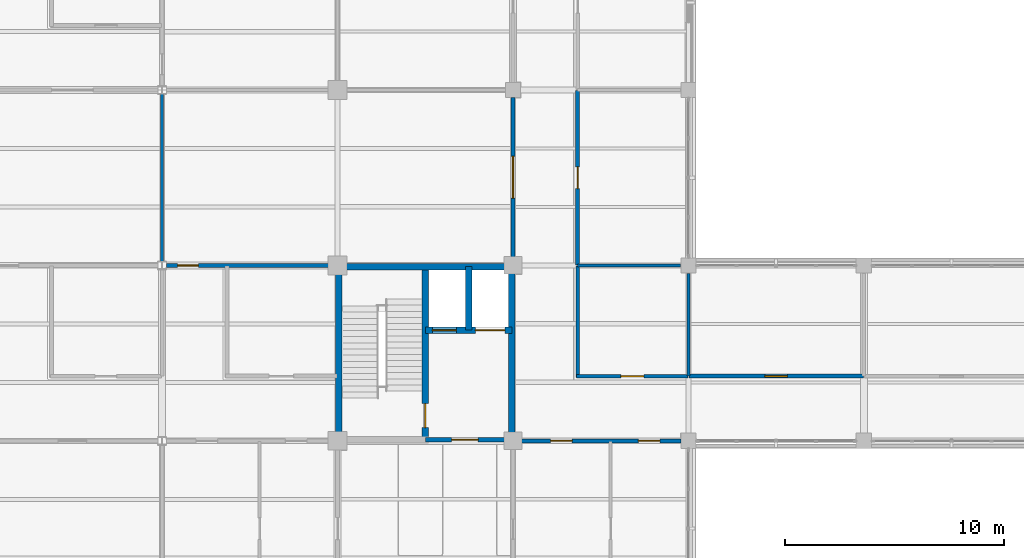
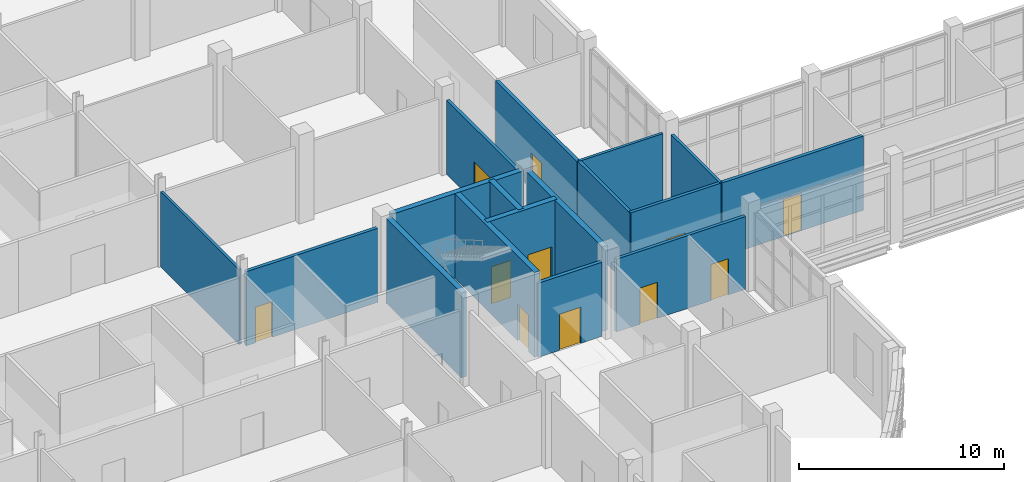
# One storey, part 67 of 105: 17 walls, 11 doors, 11 openings.
"""IFC4 building model written with IfcOpenShell, lengths in metres."""

from ifc_helpers import new_model, si_unit, derived_unit, direction, frame, frame_2d, origin, place, context, subcontext, project, spatial, rectangle, extrude, material, layer, layer_set, type_object, element, fill, save


model = new_model("IFC4")

# Units and contexts
model_context = context("Model", 3, precision=1e-05, world=origin(), true_north=direction((0.0, 1.0)))
body_context = subcontext(model_context, "Body", "Model", "MODEL_VIEW")
ifc_project = project(units=[si_unit("LENGTHUNIT", "METRE"), si_unit("AREAUNIT", "SQUARE_METRE"), si_unit("VOLUMEUNIT", "CUBIC_METRE"), si_unit("PLANEANGLEUNIT", "RADIAN"), si_unit("MASSUNIT", "GRAM", prefix="KILO"), derived_unit("THERMALTRANSMITTANCEUNIT", [(si_unit("MASSUNIT", "GRAM", prefix="KILO"), 1), (si_unit("TIMEUNIT", "SECOND"), -3), (si_unit("THERMODYNAMICTEMPERATUREUNIT", "KELVIN"), -1)])], contexts=[model_context])

# Site, building, storey
site_placement = place(None, origin())
site = spatial("IfcSite", under=ifc_project, at=site_placement, CompositionType="ELEMENT")
building_placement = place(site_placement, origin())
building = spatial("IfcBuilding", under=site, at=building_placement, Name="Veyamyaing Civic Hall", CompositionType="ELEMENT")
storey_placement = place(building_placement, origin())
storey = spatial("IfcBuildingStorey", under=building, at=storey_placement, Name="L00", CompositionType="ELEMENT", Elevation=0.0)

# Walls
ifc_material_1 = material(Name="Concrete C40/50", Category="concrete")
ifc_layer_1 = layer(ifc_material_1, 0.300048828125, Name="Concrete C40/50")
ifc_layer_set_1 = layer_set([ifc_layer_1], Name="Concrete C40/50")
wall_type_1 = type_object("IfcWallType", Name="WT-05", PredefinedType="SHEAR", material=ifc_layer_set_1)
wall_1_placement = place(storey_placement, frame((104.050048828125, 48.31494140625, 0.0), z_axis=(0.0, 0.0, 1.0), x_axis=(0.0, 1.0, 0.0)))
element("IfcWall", 1, at=wall_1_placement, inside=storey, type_object=wall_type_1, Name="Core shear wall WT-05 CORE-6 L00.W", PredefinedType="SHEAR", context=body_context, shape_type="SweptSolid", body=[
    extrude(rectangle(XDim=7.3701171875, YDim=0.300048828125, at=frame_2d((3.68505859375, 0.0))), origin(), (0.0, 0.0, 1.0), 5.034912109375),
])
wall_2_placement = place(storey_placement, frame((104.31494140625, 55.949951171875, 0.0), z_axis=(0.0, 0.0, 1.0), x_axis=(1.0, 0.0, 0.0)))
element("IfcWall", 2, at=wall_2_placement, inside=storey, type_object=wall_type_1, Name="Core shear wall WT-05 CORE-6 L00.N", PredefinedType="SHEAR", context=body_context, shape_type="SweptSolid", body=[
    extrude(rectangle(XDim=7.39501953125, YDim=0.300048828125, at=frame_2d((3.697509765625, 0.0))), origin(), (0.0, 0.0, 1.0), 5.034912109375),
])
wall_3_placement = place(storey_placement, frame((111.949951171875, 48.2900390625, 0.0), z_axis=(0.0, 0.0, 1.0), x_axis=(0.0, 1.0, 0.0)))
element("IfcWall", 3, at=wall_3_placement, inside=storey, type_object=wall_type_1, Name="Core shear wall WT-05 CORE-6 L00.E", PredefinedType="SHEAR", context=body_context, shape_type="SweptSolid", body=[
    extrude(rectangle(XDim=7.419921875, YDim=0.300048828125, at=frame_2d((3.7099609375, 0.0))), origin(), (0.0, 0.0, 1.0), 5.034912109375),
])

# Wall, opening, door
wall_4_placement = place(storey_placement, frame((108.0, 48.050048828125, 0.0), z_axis=(0.0, 0.0, 1.0), x_axis=(0.0, 1.0, 0.0)))
wall_4 = element("IfcWall", 4, at=wall_4_placement, inside=storey, type_object=wall_type_1, Name="Core shear wall WT-05 CORE-6 L00.MID", PredefinedType="SHEAR", context=body_context, shape_type="SweptSolid", body=[
    extrude(rectangle(XDim=7.89990234375, YDim=0.300048828125, at=frame_2d((3.949951171875, 0.0))), origin(), (0.0, 0.0, 1.0), 5.034912109375),
])
opening_1_placement = place(wall_4_placement, frame((0.550048828125, 0.0, 0.0)))
opening_1 = element("IfcOpeningElement", 5, at=opening_1_placement, cuts=wall_4, Name="Opening D-03", PredefinedType="OPENING", context=body_context, shape_type="SweptSolid", body=[
    extrude(rectangle(XDim=1.10009765625, YDim=2.14990234375, at=frame_2d((0.550048828125, 1.074951171875))), frame((0.0, 0.159912109375, 0.0), z_axis=(0.0, -1.0, 0.0), x_axis=(1.0, 0.0, 0.0)), (0.0, 0.0, 1.0), 0.320068359375),
])
ifc_material_2 = material(Name="Galvanized steel S355J2", Category="steel")
door_type_1 = type_object("IfcDoorType", Name="D-03", OperationType="NOTDEFINED", PredefinedType="DOOR", material=ifc_material_2)
door_1_placement = place(opening_1_placement, frame((1.10009765625, 0.0, 0.0), z_axis=(0.0, 0.0, 1.0), x_axis=(-1.0, 0.0, 0.0)))
door_1 = element("IfcDoor", 6, at=door_1_placement, inside=storey, type_object=door_type_1, Name="Exit stair fire door D-03 ST-06 L00", OperationType="SINGLE_SWING_RIGHT", OverallHeight=2.14990234375, OverallWidth=1.10009765625, PredefinedType="DOOR", context=body_context, shape_type="SweptSolid", body=[
    extrude(rectangle(XDim=1.10009765625, YDim=2.14990234375, at=frame_2d((0.550048828125, 1.074951171875))), frame((0.0, 0.02490234375, 0.0), z_axis=(0.0, -1.0, 0.0), x_axis=(1.0, 0.0, 0.0)), (0.0, 0.0, 1.0), 0.050048828125),
])
fill(opening_1, door_1)

# Wall, openings, doors
wall_5_placement = place(storey_placement, frame((108.0, 53.050048828125, 0.0), z_axis=(0.0, 0.0, 1.0), x_axis=(1.0, 0.0, 0.0)))
wall_5 = element("IfcWall", 7, at=wall_5_placement, inside=storey, type_object=wall_type_1, Name="Core shear wall WT-05 CORE-6 L00.LFT", PredefinedType="SHEAR", context=body_context, shape_type="SweptSolid", body=[
    extrude(rectangle(XDim=3.949951171875, YDim=0.300048828125, at=frame_2d((1.97509765625, 0.0))), origin(), (0.0, 0.0, 1.0), 5.034912109375),
])
opening_2_placement = place(wall_5_placement, frame((0.320068359375, 0.0, 0.0)))
opening_2 = element("IfcOpeningElement", 8, at=opening_2_placement, cuts=wall_5, Name="Opening LD-01", PredefinedType="OPENING", context=body_context, shape_type="SweptSolid", body=[
    extrude(rectangle(XDim=1.10009765625, YDim=2.199951171875, at=frame_2d((0.550048828125, 1.10009765625))), frame((0.0, 0.159912109375, 0.0), z_axis=(0.0, -1.0, 0.0), x_axis=(1.0, 0.0, 0.0)), (0.0, 0.0, 1.0), 0.320068359375),
])
opening_3_placement = place(wall_5_placement, frame((2.280029296875, 0.0, 0.0)))
opening_3 = element("IfcOpeningElement", 9, at=opening_3_placement, cuts=wall_5, Name="Opening LD-03", PredefinedType="OPENING", context=body_context, shape_type="SweptSolid", body=[
    extrude(rectangle(XDim=1.35009765625, YDim=2.300048828125, at=frame_2d((0.675048828125, 1.14990234375))), frame((0.0, 0.159912109375, 0.0), z_axis=(0.0, -1.0, 0.0), x_axis=(1.0, 0.0, 0.0)), (0.0, 0.0, 1.0), 0.320068359375),
])
ifc_material_3 = material(Name="Anodised aluminium 6063-T6", Category="aluminium")
door_type_2 = type_object("IfcDoorType", Name="LD-01", OperationType="SLIDING_TO_LEFT", PredefinedType="DOOR", material=ifc_material_3)
door_2_placement = place(opening_2_placement, origin())
door_2 = element("IfcDoor", 10, at=door_2_placement, inside=storey, type_object=door_type_2, Name="Lift sliding landing door LD-01 PL-04 L00", OperationType="SLIDING_TO_LEFT", OverallHeight=2.199951171875, OverallWidth=1.10009765625, PredefinedType="DOOR", context=body_context, shape_type="SweptSolid", body=[
    extrude(rectangle(XDim=1.10009765625, YDim=2.199951171875, at=frame_2d((0.550048828125, 1.10009765625))), frame((0.0, 0.02490234375, 0.0), z_axis=(0.0, -1.0, 0.0), x_axis=(1.0, 0.0, 0.0)), (0.0, 0.0, 1.0), 0.050048828125),
])
fill(opening_2, door_2)
door_type_3 = type_object("IfcDoorType", Name="LD-03", OperationType="DOUBLE_DOOR_SLIDING", PredefinedType="DOOR", material=ifc_material_2)
door_3_placement = place(opening_3_placement, origin())
door_3 = element("IfcDoor", 11, at=door_3_placement, inside=storey, type_object=door_type_3, Name="Lift sliding landing door LD-03 GL-02 L00", OperationType="DOUBLE_DOOR_SLIDING", OverallHeight=2.300048828125, OverallWidth=1.35009765625, PredefinedType="DOOR", context=body_context, shape_type="SweptSolid", body=[
    extrude(rectangle(XDim=1.35009765625, YDim=2.300048828125, at=frame_2d((0.675048828125, 1.14990234375))), frame((0.0, 0.02490234375, 0.0), z_axis=(0.0, -1.0, 0.0), x_axis=(1.0, 0.0, 0.0)), (0.0, 0.0, 1.0), 0.050048828125),
])
fill(opening_3, door_3)

# Wall
wall_6_placement = place(storey_placement, frame((109.97998046875, 53.050048828125, 0.0), z_axis=(0.0, 0.0, 1.0), x_axis=(0.0, 1.0, 0.0)))
element("IfcWall", 12, at=wall_6_placement, inside=storey, type_object=wall_type_1, Name="Core shear wall WT-05 CORE-6 L00.LDIV", PredefinedType="SHEAR", context=body_context, shape_type="SweptSolid", body=[
    extrude(rectangle(XDim=2.89990234375, YDim=0.300048828125, at=frame_2d((1.449951171875, 0.0))), origin(), (0.0, 0.0, 1.0), 5.034912109375),
])

# Wall, opening, door
ifc_layer_2 = layer(ifc_material_1, 0.199951171875, Name="Concrete C40/50")
ifc_layer_set_2 = layer_set([ifc_layer_2], Name="Concrete C40/50")
wall_type_2 = type_object("IfcWallType", Name="WT-06", PredefinedType="PARTITIONING", material=ifc_layer_set_2)
wall_7_placement = place(storey_placement, frame((108.0, 48.050048828125, 0.0), z_axis=(0.0, 0.0, 1.0), x_axis=(1.0, 0.0, 0.0)))
wall_7 = element("IfcWall", 13, at=wall_7_placement, inside=storey, type_object=wall_type_2, Name="Firefighting lift lobby wall WT-06 CORE-6 L00", PredefinedType="PARTITIONING", context=body_context, shape_type="SweptSolid", body=[
    extrude(rectangle(XDim=3.610107421875, YDim=0.199951171875, at=frame_2d((1.80517578125, 0.0))), origin(), (0.0, 0.0, 1.0), 4.404052734375),
])
opening_4_placement = place(wall_7_placement, frame((1.205078125, 0.0, 0.0)))
opening_4 = element("IfcOpeningElement", 14, at=opening_4_placement, cuts=wall_7, Name="Opening D-04", PredefinedType="OPENING", context=body_context, shape_type="SweptSolid", body=[
    extrude(rectangle(XDim=1.199951171875, YDim=2.14990234375, at=frame_2d((0.60009765625, 1.074951171875))), frame((0.0, 0.10986328125, 0.0), z_axis=(0.0, -1.0, 0.0), x_axis=(1.0, 0.0, 0.0)), (0.0, 0.0, 1.0), 0.219970703125),
])
door_type_4 = type_object("IfcDoorType", Name="D-04", OperationType="NOTDEFINED", PredefinedType="DOOR", material=ifc_material_2)
door_4_placement = place(opening_4_placement, frame((1.199951171875, 0.0, 0.0), z_axis=(0.0, 0.0, 1.0), x_axis=(-1.0, 0.0, 0.0)))
door_4 = element("IfcDoor", 15, at=door_4_placement, inside=storey, type_object=door_type_4, Name="Protected lobby fire door D-04 CORE-6 L00", OperationType="SINGLE_SWING_LEFT", OverallHeight=2.14990234375, OverallWidth=1.199951171875, PredefinedType="DOOR", context=body_context, shape_type="SweptSolid", body=[
    extrude(rectangle(XDim=1.199951171875, YDim=2.14990234375, at=frame_2d((0.60009765625, 1.074951171875))), frame((0.0, 0.02490234375, 0.0), z_axis=(0.0, -1.0, 0.0), x_axis=(1.0, 0.0, 0.0)), (0.0, 0.0, 1.0), 0.050048828125),
])
fill(opening_4, door_4)

ifc_material_4 = material(Name="Gypsum board on acoustic steel stud", Category="steel")
ifc_layer_3 = layer(ifc_material_4, 0.175048828125, Name="Gypsum board on acoustic steel stud")
ifc_layer_set_3 = layer_set([ifc_layer_3], Name="Gypsum board on acoustic steel stud")
wall_type_3 = type_object("IfcWallType", Name="WT-07", PredefinedType="PARTITIONING", material=ifc_layer_set_3)
wall_8_placement = place(storey_placement, frame((114.89990234375, 50.949951171875, 0.0), z_axis=(0.0, 0.0, 1.0), x_axis=(1.0, 0.0, 0.0)))
wall_8 = element("IfcWall", 16, at=wall_8_placement, inside=storey, type_object=wall_type_3, Name="Corridor gallery partition WT-07 L00.49.1", PredefinedType="PARTITIONING", context=body_context, shape_type="SweptSolid", body=[
    extrude(rectangle(XDim=5.080078125, YDim=0.175048828125, at=frame_2d((2.5400390625, 0.0))), origin(), (0.0, 0.0, 1.0), 4.412109375),
])
opening_5_placement = place(wall_8_placement, frame((2.014892578125, 0.0, 0.0)))
opening_5 = element("IfcOpeningElement", 17, at=opening_5_placement, cuts=wall_8, Name="Opening D-12", PredefinedType="OPENING", context=body_context, shape_type="SweptSolid", body=[
    extrude(rectangle(XDim=1.050048828125, YDim=2.14990234375, at=frame_2d((0.52490234375, 1.074951171875))), frame((0.0, 0.097412109375, 0.0), z_axis=(0.0, -1.0, 0.0), x_axis=(1.0, 0.0, 0.0)), (0.0, 0.0, 1.0), 0.195068359375),
])
ifc_material_5 = material(Name="Teak-veneered acoustic timber", Category="wood")
door_type_5 = type_object("IfcDoorType", Name="D-12", OperationType="NOTDEFINED", PredefinedType="DOOR", material=ifc_material_5)
door_5_placement = place(opening_5_placement, origin())
door_5 = element("IfcDoor", 18, at=door_5_placement, inside=storey, type_object=door_type_5, Name="Gallery office door D-12 L00.49", OperationType="SINGLE_SWING_RIGHT", OverallHeight=2.14990234375, OverallWidth=1.050048828125, PredefinedType="DOOR", context=body_context, shape_type="SweptSolid", body=[
    extrude(rectangle(XDim=1.050048828125, YDim=2.14990234375, at=frame_2d((0.52490234375, 1.074951171875))), frame((0.0, 0.02490234375, 0.0), z_axis=(0.0, -1.0, 0.0), x_axis=(1.0, 0.0, 0.0)), (0.0, 0.0, 1.0), 0.050048828125),
])
fill(opening_5, door_5)

# Wall
wall_9_placement = place(storey_placement, frame((114.949951171875, 50.89990234375, 0.0), z_axis=(0.0, 0.0, 1.0), x_axis=(0.0, 1.0, 0.0)))
element("IfcWall", 19, at=wall_9_placement, inside=storey, type_object=wall_type_3, Name="Corridor gallery partition WT-07 L00.49.2", PredefinedType="PARTITIONING", context=body_context, shape_type="SweptSolid", body=[
    extrude(rectangle(XDim=5.080078125, YDim=0.175048828125, at=frame_2d((2.5400390625, 0.0))), origin(), (0.0, 0.0, 1.0), 4.403076171875),
])

# Wall, opening, door
wall_10_placement = place(storey_placement, frame((112.0, 56.389892578125, 0.0), z_axis=(0.0, 0.0, 1.0), x_axis=(0.0, 1.0, 0.0)))
wall_10 = element("IfcWall", 20, at=wall_10_placement, inside=storey, type_object=wall_type_3, Name="Interior partition wall WT-07 L00.113", PredefinedType="PARTITIONING", context=body_context, shape_type="SweptSolid", body=[
    extrude(rectangle(XDim=7.27001953125, YDim=0.175048828125, at=frame_2d((3.635009765625, 0.0))), origin(), (0.0, 0.0, 1.0), 4.412109375),
])
opening_6_placement = place(wall_10_placement, frame((2.68505859375, 0.0, 0.0)))
opening_6 = element("IfcOpeningElement", 21, at=opening_6_placement, cuts=wall_10, Name="Opening D-31", PredefinedType="OPENING", context=body_context, shape_type="SweptSolid", body=[
    extrude(rectangle(XDim=1.89990234375, YDim=2.3798828125, at=frame_2d((0.949951171875, 1.18994140625))), frame((0.0, 0.097412109375, 0.0), z_axis=(0.0, -1.0, 0.0), x_axis=(1.0, 0.0, 0.0)), (0.0, 0.0, 1.0), 0.195068359375),
])
door_type_6 = type_object("IfcDoorType", Name="D-31", OperationType="DOUBLE_DOOR_SINGLE_SWING", PredefinedType="DOOR", material=ifc_material_5)
door_6_placement = place(opening_6_placement, origin())
door_6 = element("IfcDoor", 22, at=door_6_placement, inside=storey, type_object=door_type_6, Name="Interior door D-31 L00.113", OperationType="DOUBLE_DOOR_SINGLE_SWING", OverallHeight=2.3798828125, OverallWidth=1.89990234375, PredefinedType="DOOR", context=body_context, shape_type="SweptSolid", body=[
    extrude(rectangle(XDim=1.89990234375, YDim=2.3798828125, at=frame_2d((0.949951171875, 1.18994140625))), frame((0.0, 0.02490234375, 0.0), z_axis=(0.0, -1.0, 0.0), x_axis=(1.0, 0.0, 0.0)), (0.0, 0.0, 1.0), 0.050048828125),
])
fill(opening_6, door_6)

# Wall, openings, doors
wall_11_placement = place(storey_placement, frame((112.389892578125, 48.0, 0.0), z_axis=(0.0, 0.0, 1.0), x_axis=(1.0, 0.0, 0.0)))
wall_11 = element("IfcWall", 23, at=wall_11_placement, inside=storey, type_object=wall_type_3, Name="Interior partition wall WT-07 L00.121", PredefinedType="PARTITIONING", context=body_context, shape_type="SweptSolid", body=[
    extrude(rectangle(XDim=7.27001953125, YDim=0.175048828125, at=frame_2d((3.635009765625, 0.0))), origin(), (0.0, 0.0, 1.0), 4.326904296875),
])
opening_7_placement = place(wall_11_placement, frame((1.327392578125, 0.0, 0.0)))
opening_7 = element("IfcOpeningElement", 24, at=opening_7_placement, cuts=wall_11, Name="Opening D-14", PredefinedType="OPENING", context=body_context, shape_type="SweptSolid", body=[
    extrude(rectangle(XDim=0.97998046875, YDim=2.14990234375, at=frame_2d((0.489990234375, 1.074951171875))), frame((0.0, 0.097412109375, 0.0), z_axis=(0.0, -1.0, 0.0), x_axis=(1.0, 0.0, 0.0)), (0.0, 0.0, 1.0), 0.195068359375),
])
opening_8_placement = place(wall_11_placement, frame((5.325927734375, 0.0, 0.0)))
opening_8 = element("IfcOpeningElement", 25, at=opening_8_placement, cuts=wall_11, Name="Opening D-14", PredefinedType="OPENING", context=body_context, shape_type="SweptSolid", body=[
    extrude(rectangle(XDim=0.97998046875, YDim=2.14990234375, at=frame_2d((0.489990234375, 1.074951171875))), frame((0.0, 0.097412109375, 0.0), z_axis=(0.0, -1.0, 0.0), x_axis=(1.0, 0.0, 0.0)), (0.0, 0.0, 1.0), 0.195068359375),
])
door_type_7 = type_object("IfcDoorType", Name="D-14", OperationType="NOTDEFINED", PredefinedType="DOOR", material=ifc_material_5)
door_7_placement = place(opening_7_placement, frame((0.97998046875, 0.0, 0.0), z_axis=(0.0, 0.0, 1.0), x_axis=(-1.0, 0.0, 0.0)))
door_7 = element("IfcDoor", 26, at=door_7_placement, inside=storey, type_object=door_type_7, Name="Interior room door D-14 L00.121.1", OperationType="SINGLE_SWING_RIGHT", OverallHeight=2.14990234375, OverallWidth=0.97998046875, PredefinedType="DOOR", context=body_context, shape_type="SweptSolid", body=[
    extrude(rectangle(XDim=0.97998046875, YDim=2.14990234375, at=frame_2d((0.489990234375, 1.074951171875))), frame((0.0, 0.02490234375, 0.0), z_axis=(0.0, -1.0, 0.0), x_axis=(1.0, 0.0, 0.0)), (0.0, 0.0, 1.0), 0.050048828125),
])
fill(opening_7, door_7)
door_8_placement = place(opening_8_placement, frame((0.97998046875, 0.0, 0.0), z_axis=(0.0, 0.0, 1.0), x_axis=(-1.0, 0.0, 0.0)))
door_8 = element("IfcDoor", 27, at=door_8_placement, inside=storey, type_object=door_type_7, Name="Interior room door D-14 L00.121.2", OperationType="SINGLE_SWING_LEFT", OverallHeight=2.14990234375, OverallWidth=0.97998046875, PredefinedType="DOOR", context=body_context, shape_type="SweptSolid", body=[
    extrude(rectangle(XDim=0.97998046875, YDim=2.14990234375, at=frame_2d((0.489990234375, 1.074951171875))), frame((0.0, 0.02490234375, 0.0), z_axis=(0.0, -1.0, 0.0), x_axis=(1.0, 0.0, 0.0)), (0.0, 0.0, 1.0), 0.050048828125),
])
fill(opening_8, door_8)

# Walls
ifc_material_6 = material(Name="Gypsum board on steel stud", Category="steel")
ifc_layer_4 = layer(ifc_material_6, 0.14990234375, Name="Gypsum board on steel stud")
ifc_layer_set_4 = layer_set([ifc_layer_4], Name="Gypsum board on steel stud")
wall_type_4 = type_object("IfcWallType", Name="WT-08", PredefinedType="PARTITIONING", material=ifc_layer_set_4)
wall_12_placement = place(storey_placement, frame((114.949951171875, 56.0, 0.0), z_axis=(0.0, 0.0, 1.0), x_axis=(1.0, 0.0, 0.0)))
element("IfcWall", 28, at=wall_12_placement, inside=storey, type_object=wall_type_4, Name="Gallery office end partition WT-08 L00.49.1", PredefinedType="PARTITIONING", context=body_context, shape_type="SweptSolid", body=[
    extrude(rectangle(XDim=4.68994140625, YDim=0.14990234375, at=frame_2d((2.344970703125, 0.0))), origin(), (0.0, 0.0, 1.0), 4.403076171875),
])
wall_13_placement = place(storey_placement, frame((120.0, 50.949951171875, 0.0), z_axis=(0.0, 0.0, 1.0), x_axis=(0.0, 1.0, 0.0)))
element("IfcWall", 29, at=wall_13_placement, inside=storey, type_object=wall_type_4, Name="Gallery office end partition WT-08 L00.49.2", PredefinedType="PARTITIONING", context=body_context, shape_type="SweptSolid", body=[
    extrude(rectangle(XDim=4.68994140625, YDim=0.14990234375, at=frame_2d((2.344970703125, 0.0))), origin(), (0.0, 0.0, 1.0), 4.412109375),
])

# Wall, opening, door
ifc_material_7 = material(Name="Gypsum board on double acoustic stud")
ifc_layer_5 = layer(ifc_material_7, 0.18505859375, Name="Gypsum board on double acoustic stud")
ifc_layer_set_5 = layer_set([ifc_layer_5], Name="Gypsum board on double acoustic stud")
wall_type_5 = type_object("IfcWallType", Name="WT-19", PredefinedType="PARTITIONING", material=ifc_layer_set_5)
wall_14_placement = place(storey_placement, frame((114.949951171875, 56.02001953125, 0.0), z_axis=(0.0, 0.0, 1.0), x_axis=(0.0, 1.0, 0.0)))
wall_14 = element("IfcWall", 30, at=wall_14_placement, inside=storey, type_object=wall_type_5, Name="Corridor gallery partition WT-19 L00.50.1", PredefinedType="PARTITIONING", context=body_context, shape_type="SweptSolid", body=[
    extrude(rectangle(XDim=7.9599609375, YDim=0.18505859375, at=frame_2d((3.97998046875, 0.0))), origin(), (0.0, 0.0, 1.0), 4.3359375),
])
opening_9_placement = place(wall_14_placement, frame((3.47998046875, 0.0, 0.0)))
opening_9 = element("IfcOpeningElement", 31, at=opening_9_placement, cuts=wall_14, Name="Opening D-13", PredefinedType="OPENING", context=body_context, shape_type="SweptSolid", body=[
    extrude(rectangle(XDim=1.0, YDim=2.14990234375, at=frame_2d((0.5, 1.074951171875))), frame((0.0, 0.1025390625, 0.0), z_axis=(0.0, -1.0, 0.0), x_axis=(1.0, 0.0, 0.0)), (0.0, 0.0, 1.0), 0.205078125),
])
door_type_8 = type_object("IfcDoorType", Name="D-13", OperationType="NOTDEFINED", PredefinedType="DOOR", material=ifc_material_5)
door_9_placement = place(opening_9_placement, frame((1.0, 0.0, 0.0), z_axis=(0.0, 0.0, 1.0), x_axis=(-1.0, 0.0, 0.0)))
door_9 = element("IfcDoor", 32, at=door_9_placement, inside=storey, type_object=door_type_8, Name="Gallery office door D-13 L00.50", OperationType="SINGLE_SWING_LEFT", OverallHeight=2.14990234375, OverallWidth=1.0, PredefinedType="DOOR", context=body_context, shape_type="SweptSolid", body=[
    extrude(rectangle(XDim=1.0, YDim=2.14990234375, at=frame_2d((0.5, 1.074951171875))), frame((0.0, 0.02490234375, 0.0), z_axis=(0.0, -1.0, 0.0), x_axis=(1.0, 0.0, 0.0)), (0.0, 0.0, 1.0), 0.050048828125),
])
fill(opening_9, door_9)

wall_15_placement = place(storey_placement, frame((120.02001953125, 50.949951171875, 0.0), z_axis=(0.0, 0.0, 1.0), x_axis=(1.0, 0.0, 0.0)))
wall_15 = element("IfcWall", 33, at=wall_15_placement, inside=storey, type_object=wall_type_5, Name="Corridor gallery partition WT-19 L00.52.1", PredefinedType="PARTITIONING", context=body_context, shape_type="SweptSolid", body=[
    extrude(rectangle(XDim=7.9599609375, YDim=0.18505859375, at=frame_2d((3.97998046875, 0.0))), origin(), (0.0, 0.0, 1.0), 4.404052734375),
])
opening_10_placement = place(wall_15_placement, frame((3.469970703125, 0.0, 0.0)))
opening_10 = element("IfcOpeningElement", 34, at=opening_10_placement, cuts=wall_15, Name="Opening D-19", PredefinedType="OPENING", context=body_context, shape_type="SweptSolid", body=[
    extrude(rectangle(XDim=1.02001953125, YDim=2.199951171875, at=frame_2d((0.510009765625, 1.10009765625))), frame((0.0, 0.1025390625, 0.0), z_axis=(0.0, -1.0, 0.0), x_axis=(1.0, 0.0, 0.0)), (0.0, 0.0, 1.0), 0.205078125),
])
door_type_9 = type_object("IfcDoorType", Name="D-19", OperationType="NOTDEFINED", PredefinedType="DOOR", material=ifc_material_5)
door_10_placement = place(opening_10_placement, origin())
door_10 = element("IfcDoor", 35, at=door_10_placement, inside=storey, type_object=door_type_9, Name="Gallery office door D-19 L00.52", OperationType="SINGLE_SWING_LEFT", OverallHeight=2.199951171875, OverallWidth=1.02001953125, PredefinedType="DOOR", context=body_context, shape_type="SweptSolid", body=[
    extrude(rectangle(XDim=1.02001953125, YDim=2.199951171875, at=frame_2d((0.510009765625, 1.10009765625))), frame((0.0, 0.02490234375, 0.0), z_axis=(0.0, -1.0, 0.0), x_axis=(1.0, 0.0, 0.0)), (0.0, 0.0, 1.0), 0.050048828125),
])
fill(opening_10, door_10)

wall_16_placement = place(storey_placement, frame((96.18896484375, 56.0, 0.0), z_axis=(0.0, 0.0, 1.0), x_axis=(1.0, 0.0, 0.0)))
wall_16 = element("IfcWall", 36, at=wall_16_placement, inside=storey, type_object=wall_type_5, Name="Interior partition wall WT-19 L00.102", PredefinedType="PARTITIONING", context=body_context, shape_type="SweptSolid", body=[
    extrude(rectangle(XDim=7.39599609375, YDim=0.18505859375, at=frame_2d((3.697998046875, 0.0))), origin(), (0.0, 0.0, 1.0), 4.404052734375),
])
opening_11_placement = place(wall_16_placement, frame((0.52001953125, 0.0, 0.0)))
opening_11 = element("IfcOpeningElement", 37, at=opening_11_placement, cuts=wall_16, Name="Opening D-30", PredefinedType="OPENING", context=body_context, shape_type="SweptSolid", body=[
    extrude(rectangle(XDim=0.93994140625, YDim=2.1201171875, at=frame_2d((0.469970703125, 1.06005859375))), frame((0.0, 0.1025390625, 0.0), z_axis=(0.0, -1.0, 0.0), x_axis=(1.0, 0.0, 0.0)), (0.0, 0.0, 1.0), 0.205078125),
])
door_type_10 = type_object("IfcDoorType", Name="D-30", OperationType="NOTDEFINED", PredefinedType="DOOR", material=ifc_material_5)
door_11_placement = place(opening_11_placement, origin())
door_11 = element("IfcDoor", 38, at=door_11_placement, inside=storey, type_object=door_type_10, Name="Interior door D-30 L00.102", OperationType="SINGLE_SWING_LEFT", OverallHeight=2.1201171875, OverallWidth=0.93994140625, PredefinedType="DOOR", context=body_context, shape_type="SweptSolid", body=[
    extrude(rectangle(XDim=0.93994140625, YDim=2.1201171875, at=frame_2d((0.469970703125, 1.06005859375))), frame((0.0, 0.02490234375, 0.0), z_axis=(0.0, -1.0, 0.0), x_axis=(1.0, 0.0, 0.0)), (0.0, 0.0, 1.0), 0.050048828125),
])
fill(opening_11, door_11)

# Wall
ifc_layer_6 = layer(ifc_material_6, 0.14208984375, Name="Gypsum board on steel stud")
ifc_layer_set_6 = layer_set([ifc_layer_6], Name="Gypsum board on steel stud")
wall_type_6 = type_object("IfcWallType", Name="WT-20", PredefinedType="PARTITIONING", material=ifc_layer_set_6)
wall_17_placement = place(storey_placement, frame((96.0, 56.18359375, 0.0), z_axis=(0.0, 0.0, 1.0), x_axis=(0.0, 1.0, 0.0)))
element("IfcWall", 39, at=wall_17_placement, inside=storey, type_object=wall_type_6, Name="Interior partition wall WT-20 L00.90", PredefinedType="PARTITIONING", context=body_context, shape_type="SweptSolid", body=[
    extrude(rectangle(XDim=7.6328125, YDim=0.14208984375, at=frame_2d((3.81640625, 0.0))), origin(), (0.0, 0.0, 1.0), 4.470947265625),
])

save(model, "model.ifc")
